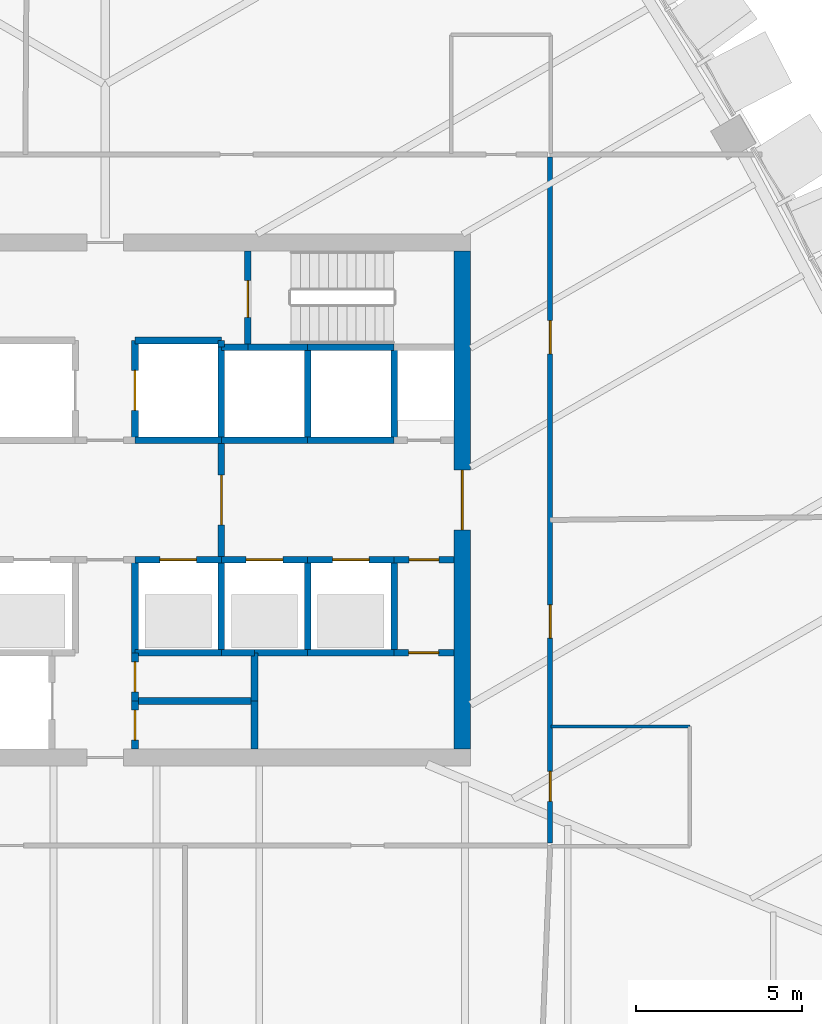
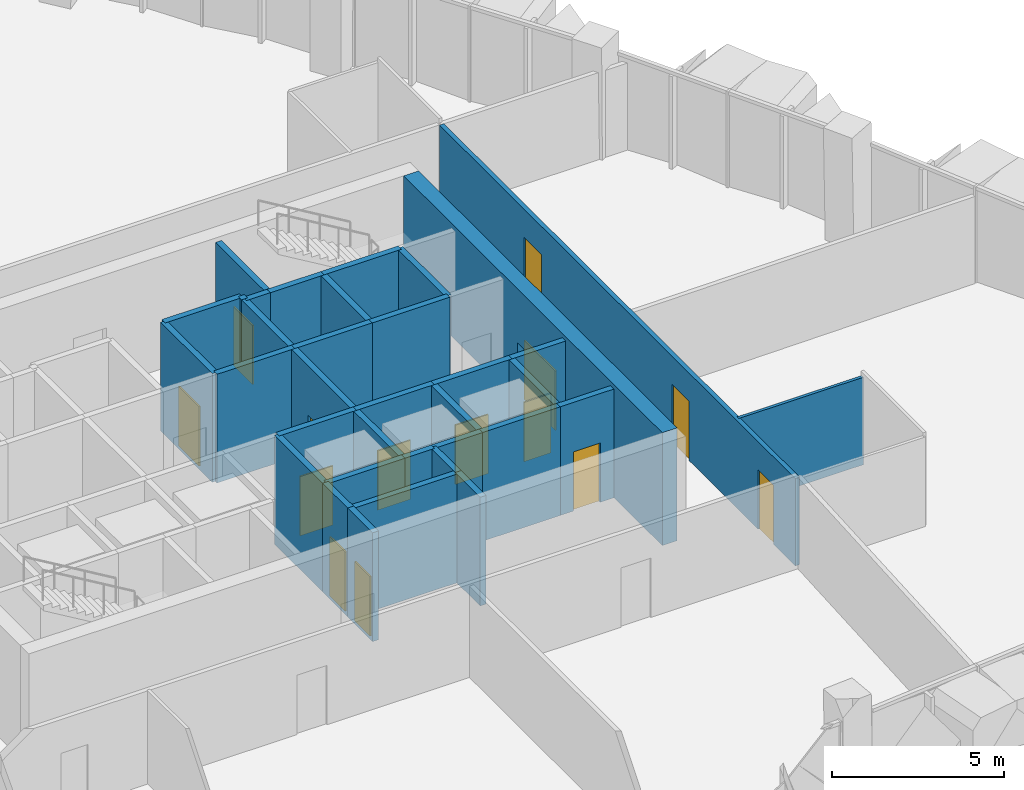
# One storey, part 13 of 18: 35 walls, 14 doors, 14 openings.
"""IFC4 building model written with IfcOpenShell, lengths in metres."""

from ifc_helpers import new_model, si_unit, direction, frame, frame_2d, origin, place, context, subcontext, project, spatial, rectangle, extrude, material, layer, layer_set, type_object, element, fill, save


model = new_model("IFC4")

# Units and contexts
model_context = context("Model", 3, precision=1e-05, world=origin(), true_north=direction((0.0, 1.0)))
body_context = subcontext(model_context, "Body", "Model", "MODEL_VIEW")
ifc_project = project(units=[si_unit("LENGTHUNIT", "METRE"), si_unit("AREAUNIT", "SQUARE_METRE"), si_unit("VOLUMEUNIT", "CUBIC_METRE"), si_unit("PLANEANGLEUNIT", "RADIAN"), si_unit("MASSUNIT", "GRAM", prefix="KILO")], contexts=[model_context])

# Site, building, storey
site_placement = place(None, origin())
site = spatial("IfcSite", under=ifc_project, at=site_placement, CompositionType="ELEMENT")
building_placement = place(site_placement, origin())
building = spatial("IfcBuilding", under=site, at=building_placement, Name="Sierra Prisma Convention Tower", CompositionType="ELEMENT")
storey_placement = place(building_placement, frame((0.0, 0.0, 137.800048828125)))
storey = spatial("IfcBuildingStorey", under=building, at=storey_placement, Name="L29", CompositionType="ELEMENT", Elevation=137.800048828125)

# Wall
ifc_material_1 = material(Name="Gypsum board partition", Category="gypsum")
ifc_layer_1 = layer(ifc_material_1, 0.10009765625)
ifc_layer_set_1 = layer_set([ifc_layer_1], Name="Bathroom partition 100")
wall_type_1 = type_object("IfcWallType", Name="Bathroom partition 100", PredefinedType="PARTITIONING", material=ifc_layer_set_1)
wall_1_placement = place(storey_placement, frame((13.429931640625, -6.820068359375, 0.0), z_axis=(0.0, 0.0, 1.0), x_axis=(1.0, 0.0, 0.0)))
element("IfcWall", 1, at=wall_1_placement, inside=storey, type_object=wall_type_1, Name="Partition L29 bath 10", PredefinedType="PARTITIONING", context=body_context, shape_type="SweptSolid", body=[
    extrude(rectangle(XDim=4.170166015625, YDim=0.10009765625, at=frame_2d((2.0849609375, 0.0))), origin(), (0.0, 0.0, 1.0), 3.096923828125),
])

# Wall, opening, door
ifc_material_2 = material(Name="Concrete C30/37", Category="concrete")
ifc_layer_2 = layer(ifc_material_2, 0.199951171875)
ifc_layer_set_2 = layer_set([ifc_layer_2], Name="Core wall RC 200 C30/37")
wall_type_2 = type_object("IfcWallType", Name="Core wall RC 200 C30/37", PredefinedType="SOLIDWALL", material=ifc_layer_set_2)
wall_2_placement = place(storey_placement, frame((0.89990234375, -6.050048828125, 0.0), z_axis=(0.0, 0.0, 1.0), x_axis=(0.0, -1.0, 0.0)))
wall_2 = element("IfcWall", 2, at=wall_2_placement, inside=storey, type_object=wall_type_2, Name="Core wall L29 35", PredefinedType="SOLIDWALL", context=body_context, shape_type="SweptSolid", body=[
    extrude(rectangle(XDim=1.449951171875, YDim=0.199951171875, at=frame_2d((0.72509765625, 0.0))), origin(), (0.0, 0.0, 1.0), 3.849853515625),
])
opening_1_placement = place(wall_2_placement, frame((0.27490234375, 0.0, 0.0)))
opening_1 = element("IfcOpeningElement", 3, at=opening_1_placement, cuts=wall_2, Name="Opening L29-D022", PredefinedType="OPENING", context=body_context, shape_type="SweptSolid", body=[
    extrude(rectangle(XDim=0.89990234375, YDim=2.10009765625, at=frame_2d((0.449951171875, 1.050048828125))), frame((0.0, 0.10009765625, 0.0), z_axis=(0.0, -1.0, 0.0), x_axis=(1.0, 0.0, 0.0)), (0.0, 0.0, 1.0), 0.199951171875),
])
ifc_material_3 = material(Name="Steel fire door leaf", Category="steel")
door_type_1 = type_object("IfcDoorType", Name="Door 900x2100 FD30S", OperationType="SINGLE_SWING_LEFT", PredefinedType="DOOR", material=ifc_material_3)
door_1_placement = place(opening_1_placement, origin())
door_1 = element("IfcDoor", 4, at=door_1_placement, inside=storey, type_object=door_type_1, Name="Door L29 35", OperationType="SINGLE_SWING_LEFT", OverallHeight=2.10009765625, OverallWidth=0.89990234375, PredefinedType="DOOR", context=body_context, shape_type="SweptSolid", body=[
    extrude(rectangle(XDim=0.89990234375, YDim=2.10009765625, at=frame_2d((0.449951171875, 1.050048828125))), frame((0.0, 0.02490234375, 0.0), z_axis=(0.0, -1.0, 0.0), x_axis=(1.0, 0.0, 0.0)), (0.0, 0.0, 1.0), 0.050048828125),
])
fill(opening_1, door_1)

# Wall
wall_3_placement = place(storey_placement, frame((4.5, -6.050048828125, 0.0), z_axis=(0.0, 0.0, 1.0), x_axis=(-1.0, 0.0, 0.0)))
element("IfcWall", 5, at=wall_3_placement, inside=storey, type_object=wall_type_2, Name="Core wall L29 36", PredefinedType="SOLIDWALL", context=body_context, shape_type="SweptSolid", body=[
    extrude(rectangle(XDim=3.60009765625, YDim=0.199951171875, at=frame_2d((1.800048828125, 0.0))), origin(), (0.0, 0.0, 1.0), 3.849853515625),
])

# Wall, opening, door
wall_4_placement = place(storey_placement, frame((0.89990234375, -4.60009765625, 0.0), z_axis=(0.0, 0.0, 1.0), x_axis=(0.0, -1.0, 0.0)))
wall_4 = element("IfcWall", 6, at=wall_4_placement, inside=storey, type_object=wall_type_2, Name="Core wall L29 37", PredefinedType="SOLIDWALL", context=body_context, shape_type="SweptSolid", body=[
    extrude(rectangle(XDim=1.449951171875, YDim=0.199951171875, at=frame_2d((0.72509765625, 0.0))), origin(), (0.0, 0.0, 1.0), 3.849853515625),
])
opening_2_placement = place(wall_4_placement, frame((0.27490234375, 0.0, 0.0)))
opening_2 = element("IfcOpeningElement", 7, at=opening_2_placement, cuts=wall_4, Name="Opening L29-D023", PredefinedType="OPENING", context=body_context, shape_type="SweptSolid", body=[
    extrude(rectangle(XDim=0.89990234375, YDim=2.10009765625, at=frame_2d((0.449951171875, 1.050048828125))), frame((0.0, 0.10009765625, 0.0), z_axis=(0.0, -1.0, 0.0), x_axis=(1.0, 0.0, 0.0)), (0.0, 0.0, 1.0), 0.199951171875),
])
door_2_placement = place(opening_2_placement, origin())
door_2 = element("IfcDoor", 8, at=door_2_placement, inside=storey, type_object=door_type_1, Name="Door L29 36", OperationType="SINGLE_SWING_LEFT", OverallHeight=2.10009765625, OverallWidth=0.89990234375, PredefinedType="DOOR", context=body_context, shape_type="SweptSolid", body=[
    extrude(rectangle(XDim=0.89990234375, YDim=2.10009765625, at=frame_2d((0.449951171875, 1.050048828125))), frame((0.0, 0.02490234375, 0.0), z_axis=(0.0, -1.0, 0.0), x_axis=(1.0, 0.0, 0.0)), (0.0, 0.0, 1.0), 0.050048828125),
])
fill(opening_2, door_2)

# Walls
wall_5_placement = place(storey_placement, frame((3.5, -4.60009765625, 0.0), z_axis=(0.0, 0.0, 1.0), x_axis=(-1.0, 0.0, 0.0)))
element("IfcWall", 9, at=wall_5_placement, inside=storey, type_object=wall_type_2, Name="Core wall L29 38", PredefinedType="SOLIDWALL", context=body_context, shape_type="SweptSolid", body=[
    extrude(rectangle(XDim=2.60009765625, YDim=0.199951171875, at=frame_2d((1.300048828125, 0.0))), origin(), (0.0, 0.0, 1.0), 3.849853515625),
])
wall_6_placement = place(storey_placement, frame((0.89990234375, -1.800048828125, 0.0), z_axis=(0.0, 0.0, 1.0), x_axis=(0.0, -1.0, 0.0)))
element("IfcWall", 10, at=wall_6_placement, inside=storey, type_object=wall_type_2, Name="Core wall L29 39", PredefinedType="SOLIDWALL", context=body_context, shape_type="SweptSolid", body=[
    extrude(rectangle(XDim=2.800048828125, YDim=0.199951171875, at=frame_2d((1.39990234375, 0.0))), origin(), (0.0, 0.0, 1.0), 3.849853515625),
])

# Wall, opening, door
wall_7_placement = place(storey_placement, frame((0.89990234375, -1.800048828125, 0.0), z_axis=(0.0, 0.0, 1.0), x_axis=(1.0, 0.0, 0.0)))
wall_7 = element("IfcWall", 11, at=wall_7_placement, inside=storey, type_object=wall_type_2, Name="Core wall L29 40", PredefinedType="SOLIDWALL", context=body_context, shape_type="SweptSolid", body=[
    extrude(rectangle(XDim=2.60009765625, YDim=0.199951171875, at=frame_2d((1.300048828125, 0.0))), origin(), (0.0, 0.0, 1.0), 3.849853515625),
])
opening_3_placement = place(wall_7_placement, frame((0.75, 0.0, 0.0)))
opening_3 = element("IfcOpeningElement", 12, at=opening_3_placement, cuts=wall_7, Name="Opening L29-D004", PredefinedType="OPENING", context=body_context, shape_type="SweptSolid", body=[
    extrude(rectangle(XDim=1.10009765625, YDim=2.10009765625, at=frame_2d((0.550048828125, 1.050048828125))), frame((0.0, 0.10009765625, 0.0), z_axis=(0.0, -1.0, 0.0), x_axis=(1.0, 0.0, 0.0)), (0.0, 0.0, 1.0), 0.199951171875),
])
ifc_material_4 = material(Name="Steel fire door leaf", Category="steel")
door_type_2 = type_object("IfcDoorType", Name="Door 1100x2100 EI 90 sliding lift landing", OperationType="SLIDING_TO_LEFT", PredefinedType="DOOR", material=ifc_material_4)
door_3_placement = place(opening_3_placement, origin())
door_3 = element("IfcDoor", 13, at=door_3_placement, inside=storey, type_object=door_type_2, Name="Door L29 17", OperationType="SLIDING_TO_RIGHT", OverallHeight=2.10009765625, OverallWidth=1.10009765625, PredefinedType="DOOR", context=body_context, shape_type="SweptSolid", body=[
    extrude(rectangle(XDim=1.10009765625, YDim=2.10009765625, at=frame_2d((0.550048828125, 1.050048828125))), frame((0.0, 0.02490234375, 0.0), z_axis=(0.0, -1.0, 0.0), x_axis=(1.0, 0.0, 0.0)), (0.0, 0.0, 1.0), 0.050048828125),
])
fill(opening_3, door_3)

# Walls
wall_8_placement = place(storey_placement, frame((3.5, 1.800048828125, 0.0), z_axis=(0.0, 0.0, 1.0), x_axis=(-1.0, 0.0, 0.0)))
element("IfcWall", 14, at=wall_8_placement, inside=storey, type_object=wall_type_2, Name="Core wall L29 41", PredefinedType="SOLIDWALL", context=body_context, shape_type="SweptSolid", body=[
    extrude(rectangle(XDim=2.60009765625, YDim=0.199951171875, at=frame_2d((1.300048828125, 0.0))), origin(), (0.0, 0.0, 1.0), 3.849853515625),
])
wall_9_placement = place(storey_placement, frame((3.5, 4.60009765625, 0.0), z_axis=(0.0, 0.0, 1.0), x_axis=(0.0, 1.0, 0.0)))
element("IfcWall", 15, at=wall_9_placement, inside=storey, type_object=wall_type_2, Name="Core wall L29 42", PredefinedType="SOLIDWALL", context=body_context, shape_type="SweptSolid", body=[
    extrude(rectangle(XDim=0.199951171875, YDim=0.199951171875, at=frame_2d((0.10009765625, 0.0))), origin(), (0.0, 0.0, 1.0), 3.849853515625),
])
wall_10_placement = place(storey_placement, frame((3.5, 4.800048828125, 0.0), z_axis=(0.0, 0.0, 1.0), x_axis=(-1.0, 0.0, 0.0)))
element("IfcWall", 16, at=wall_10_placement, inside=storey, type_object=wall_type_2, Name="Core wall L29 43", PredefinedType="SOLIDWALL", context=body_context, shape_type="SweptSolid", body=[
    extrude(rectangle(XDim=2.60009765625, YDim=0.199951171875, at=frame_2d((1.300048828125, 0.0))), origin(), (0.0, 0.0, 1.0), 3.849853515625),
])

# Wall, opening, door
wall_11_placement = place(storey_placement, frame((0.89990234375, 4.800048828125, 0.0), z_axis=(0.0, 0.0, 1.0), x_axis=(0.0, -1.0, 0.0)))
wall_11 = element("IfcWall", 17, at=wall_11_placement, inside=storey, type_object=wall_type_2, Name="Core wall L29 44", PredefinedType="SOLIDWALL", context=body_context, shape_type="SweptSolid", body=[
    extrude(rectangle(XDim=3.0, YDim=0.199951171875, at=frame_2d((1.5, 0.0))), origin(), (0.0, 0.0, 1.0), 3.849853515625),
])
opening_4_placement = place(wall_11_placement, frame((0.89990234375, 0.0, 0.0)))
opening_4 = element("IfcOpeningElement", 18, at=opening_4_placement, cuts=wall_11, Name="Opening L29-D008", PredefinedType="OPENING", context=body_context, shape_type="SweptSolid", body=[
    extrude(rectangle(XDim=1.199951171875, YDim=2.10009765625, at=frame_2d((0.60009765625, 1.050048828125))), frame((0.0, 0.10009765625, 0.0), z_axis=(0.0, -1.0, 0.0), x_axis=(1.0, 0.0, 0.0)), (0.0, 0.0, 1.0), 0.199951171875),
])
ifc_material_5 = material(Name="Steel fire door leaf", Category="steel")
door_type_3 = type_object("IfcDoorType", Name="Door 1200x2100 EI 90 sliding lift landing", OperationType="SLIDING_TO_LEFT", PredefinedType="DOOR", material=ifc_material_5)
door_4_placement = place(opening_4_placement, origin())
door_4 = element("IfcDoor", 19, at=door_4_placement, inside=storey, type_object=door_type_3, Name="Door L29 21", OperationType="SLIDING_TO_RIGHT", OverallHeight=2.10009765625, OverallWidth=1.199951171875, PredefinedType="DOOR", context=body_context, shape_type="SweptSolid", body=[
    extrude(rectangle(XDim=1.199951171875, YDim=2.10009765625, at=frame_2d((0.60009765625, 1.050048828125))), frame((0.0, 0.02490234375, 0.0), z_axis=(0.0, -1.0, 0.0), x_axis=(1.0, 0.0, 0.0)), (0.0, 0.0, 1.0), 0.050048828125),
])
fill(opening_4, door_4)

# Walls
wall_12_placement = place(storey_placement, frame((4.5, -4.60009765625, 0.0), z_axis=(0.0, 0.0, 1.0), x_axis=(-1.0, 0.0, 0.0)))
element("IfcWall", 20, at=wall_12_placement, inside=storey, type_object=wall_type_2, Name="Core wall L29 45", PredefinedType="SOLIDWALL", context=body_context, shape_type="SweptSolid", body=[
    extrude(rectangle(XDim=1.0, YDim=0.199951171875, at=frame_2d((0.5, 0.0))), origin(), (0.0, 0.0, 1.0), 3.849853515625),
])
wall_13_placement = place(storey_placement, frame((3.5, -4.60009765625, 0.0), z_axis=(0.0, 0.0, 1.0), x_axis=(0.0, 1.0, 0.0)))
element("IfcWall", 21, at=wall_13_placement, inside=storey, type_object=wall_type_2, Name="Core wall L29 46", PredefinedType="SOLIDWALL", context=body_context, shape_type="SweptSolid", body=[
    extrude(rectangle(XDim=2.800048828125, YDim=0.199951171875, at=frame_2d((1.39990234375, 0.0))), origin(), (0.0, 0.0, 1.0), 3.849853515625),
])

# Wall, opening, door
wall_14_placement = place(storey_placement, frame((3.5, -1.800048828125, 0.0), z_axis=(0.0, 0.0, 1.0), x_axis=(1.0, 0.0, 0.0)))
wall_14 = element("IfcWall", 22, at=wall_14_placement, inside=storey, type_object=wall_type_2, Name="Core wall L29 47", PredefinedType="SOLIDWALL", context=body_context, shape_type="SweptSolid", body=[
    extrude(rectangle(XDim=2.60009765625, YDim=0.199951171875, at=frame_2d((1.300048828125, 0.0))), origin(), (0.0, 0.0, 1.0), 3.849853515625),
])
opening_5_placement = place(wall_14_placement, frame((0.75, 0.0, 0.0)))
opening_5 = element("IfcOpeningElement", 23, at=opening_5_placement, cuts=wall_14, Name="Opening L29-D005", PredefinedType="OPENING", context=body_context, shape_type="SweptSolid", body=[
    extrude(rectangle(XDim=1.10009765625, YDim=2.10009765625, at=frame_2d((0.550048828125, 1.050048828125))), frame((0.0, 0.10009765625, 0.0), z_axis=(0.0, -1.0, 0.0), x_axis=(1.0, 0.0, 0.0)), (0.0, 0.0, 1.0), 0.199951171875),
])
door_5_placement = place(opening_5_placement, origin())
door_5 = element("IfcDoor", 24, at=door_5_placement, inside=storey, type_object=door_type_2, Name="Door L29 18", OperationType="SLIDING_TO_RIGHT", OverallHeight=2.10009765625, OverallWidth=1.10009765625, PredefinedType="DOOR", context=body_context, shape_type="SweptSolid", body=[
    extrude(rectangle(XDim=1.10009765625, YDim=2.10009765625, at=frame_2d((0.550048828125, 1.050048828125))), frame((0.0, 0.02490234375, 0.0), z_axis=(0.0, -1.0, 0.0), x_axis=(1.0, 0.0, 0.0)), (0.0, 0.0, 1.0), 0.050048828125),
])
fill(opening_5, door_5)

wall_15_placement = place(storey_placement, frame((3.5, -1.800048828125, 0.0), z_axis=(0.0, 0.0, 1.0), x_axis=(0.0, 1.0, 0.0)))
wall_15 = element("IfcWall", 25, at=wall_15_placement, inside=storey, type_object=wall_type_2, Name="Core wall L29 48", PredefinedType="SOLIDWALL", context=body_context, shape_type="SweptSolid", body=[
    extrude(rectangle(XDim=3.60009765625, YDim=0.199951171875, at=frame_2d((1.800048828125, 0.0))), origin(), (0.0, 0.0, 1.0), 3.849853515625),
])
opening_6_placement = place(wall_15_placement, frame((1.050048828125, 0.0, 0.0)))
opening_6 = element("IfcOpeningElement", 26, at=opening_6_placement, cuts=wall_15, Name="Opening L29-D011", PredefinedType="OPENING", context=body_context, shape_type="SweptSolid", body=[
    extrude(rectangle(XDim=1.5, YDim=2.10009765625, at=frame_2d((0.75, 1.050048828125))), frame((0.0, 0.10009765625, 0.0), z_axis=(0.0, -1.0, 0.0), x_axis=(1.0, 0.0, 0.0)), (0.0, 0.0, 1.0), 0.199951171875),
])
ifc_material_6 = material(Name="Steel fire door leaf", Category="steel")
door_type_4 = type_object("IfcDoorType", Name="Door 1500x2100 FD30S", OperationType="DOUBLE_DOOR_SINGLE_SWING", PredefinedType="DOOR", material=ifc_material_6)
door_6_placement = place(opening_6_placement, origin())
door_6 = element("IfcDoor", 27, at=door_6_placement, inside=storey, type_object=door_type_4, Name="Door L29 24", OperationType="DOUBLE_DOOR_SINGLE_SWING", OverallHeight=2.10009765625, OverallWidth=1.5, PredefinedType="DOOR", context=body_context, shape_type="SweptSolid", body=[
    extrude(rectangle(XDim=1.5, YDim=2.10009765625, at=frame_2d((0.75, 1.050048828125))), frame((0.0, 0.02490234375, 0.0), z_axis=(0.0, -1.0, 0.0), x_axis=(1.0, 0.0, 0.0)), (0.0, 0.0, 1.0), 0.050048828125),
])
fill(opening_6, door_6)

# Walls
wall_16_placement = place(storey_placement, frame((6.10009765625, 1.800048828125, 0.0), z_axis=(0.0, 0.0, 1.0), x_axis=(-1.0, 0.0, 0.0)))
element("IfcWall", 28, at=wall_16_placement, inside=storey, type_object=wall_type_2, Name="Core wall L29 49", PredefinedType="SOLIDWALL", context=body_context, shape_type="SweptSolid", body=[
    extrude(rectangle(XDim=2.60009765625, YDim=0.199951171875, at=frame_2d((1.300048828125, 0.0))), origin(), (0.0, 0.0, 1.0), 3.849853515625),
])
wall_17_placement = place(storey_placement, frame((3.5, 1.800048828125, 0.0), z_axis=(0.0, 0.0, 1.0), x_axis=(0.0, 1.0, 0.0)))
element("IfcWall", 29, at=wall_17_placement, inside=storey, type_object=wall_type_2, Name="Core wall L29 50", PredefinedType="SOLIDWALL", context=body_context, shape_type="SweptSolid", body=[
    extrude(rectangle(XDim=2.800048828125, YDim=0.199951171875, at=frame_2d((1.39990234375, 0.0))), origin(), (0.0, 0.0, 1.0), 3.849853515625),
])
wall_18_placement = place(storey_placement, frame((4.300048828125, 4.60009765625, 0.0), z_axis=(0.0, 0.0, 1.0), x_axis=(-1.0, 0.0, 0.0)))
element("IfcWall", 30, at=wall_18_placement, inside=storey, type_object=wall_type_2, Name="Core wall L29 51", PredefinedType="SOLIDWALL", context=body_context, shape_type="SweptSolid", body=[
    extrude(rectangle(XDim=0.800048828125, YDim=0.199951171875, at=frame_2d((0.39990234375, 0.0))), origin(), (0.0, 0.0, 1.0), 3.849853515625),
])
wall_19_placement = place(storey_placement, frame((6.10009765625, 4.60009765625, 0.0), z_axis=(0.0, 0.0, 1.0), x_axis=(-1.0, 0.0, 0.0)))
element("IfcWall", 31, at=wall_19_placement, inside=storey, type_object=wall_type_2, Name="Core wall L29 52", PredefinedType="SOLIDWALL", context=body_context, shape_type="SweptSolid", body=[
    extrude(rectangle(XDim=1.800048828125, YDim=0.199951171875, at=frame_2d((0.89990234375, 0.0))), origin(), (0.0, 0.0, 1.0), 3.849853515625),
])

# Wall, opening, door
wall_20_placement = place(storey_placement, frame((4.300048828125, 7.5, 0.0), z_axis=(0.0, 0.0, 1.0), x_axis=(0.0, -1.0, 0.0)))
wall_20 = element("IfcWall", 32, at=wall_20_placement, inside=storey, type_object=wall_type_2, Name="Core wall L29 53", PredefinedType="SOLIDWALL", context=body_context, shape_type="SweptSolid", body=[
    extrude(rectangle(XDim=2.89990234375, YDim=0.199951171875, at=frame_2d((1.449951171875, 0.0))), origin(), (0.0, 0.0, 1.0), 3.849853515625),
])
opening_7_placement = place(wall_20_placement, frame((0.89990234375, 0.0, 0.0)))
opening_7 = element("IfcOpeningElement", 33, at=opening_7_placement, cuts=wall_20, Name="Opening L29-D019", PredefinedType="OPENING", context=body_context, shape_type="SweptSolid", body=[
    extrude(rectangle(XDim=1.10009765625, YDim=2.10009765625, at=frame_2d((0.550048828125, 1.050048828125))), frame((0.0, 0.10009765625, 0.0), z_axis=(0.0, -1.0, 0.0), x_axis=(1.0, 0.0, 0.0)), (0.0, 0.0, 1.0), 0.199951171875),
])
ifc_material_7 = material(Name="Steel fire door leaf", Category="steel")
door_type_5 = type_object("IfcDoorType", Name="Door 1100x2100 FD90S", OperationType="SINGLE_SWING_LEFT", PredefinedType="DOOR", material=ifc_material_7)
door_7_placement = place(opening_7_placement, origin())
door_7 = element("IfcDoor", 34, at=door_7_placement, inside=storey, type_object=door_type_5, Name="Door L29 32", OperationType="SINGLE_SWING_RIGHT", OverallHeight=2.10009765625, OverallWidth=1.10009765625, PredefinedType="DOOR", context=body_context, shape_type="SweptSolid", body=[
    extrude(rectangle(XDim=1.10009765625, YDim=2.10009765625, at=frame_2d((0.550048828125, 1.050048828125))), frame((0.0, 0.02490234375, 0.0), z_axis=(0.0, -1.0, 0.0), x_axis=(1.0, 0.0, 0.0)), (0.0, 0.0, 1.0), 0.050048828125),
])
fill(opening_7, door_7)

# Walls
for number, where, z_axis, x_axis, name in (
    (35, (4.5, -6.050048828125, 0.0), (0.0, 0.0, 1.0), (0.0, -1.0, 0.0), "Core wall L29 54"),
    (36, (4.5, -4.60009765625, 0.0), (0.0, 0.0, 1.0), (0.0, -1.0, 0.0), "Core wall L29 55"),
):
    element("IfcWall", number, at=place(storey_placement, frame(where, z_axis=z_axis, x_axis=x_axis)), inside=storey, type_object=wall_type_2, Name=name, PredefinedType="SOLIDWALL", context=body_context, shape_type="SweptSolid", body=[
        extrude(rectangle(XDim=1.449951171875, YDim=0.199951171875, at=frame_2d((0.72509765625, 0.0))), origin(), (0.0, 0.0, 1.0), 3.849853515625),
    ])
wall_21_placement = place(storey_placement, frame((6.10009765625, -4.60009765625, 0.0), z_axis=(0.0, 0.0, 1.0), x_axis=(-1.0, 0.0, 0.0)))
element("IfcWall", 37, at=wall_21_placement, inside=storey, type_object=wall_type_2, Name="Core wall L29 56", PredefinedType="SOLIDWALL", context=body_context, shape_type="SweptSolid", body=[
    extrude(rectangle(XDim=1.60009765625, YDim=0.199951171875, at=frame_2d((0.800048828125, 0.0))), origin(), (0.0, 0.0, 1.0), 3.849853515625),
])
wall_22_placement = place(storey_placement, frame((8.699951171875, -4.60009765625, 0.0), z_axis=(0.0, 0.0, 1.0), x_axis=(-1.0, 0.0, 0.0)))
element("IfcWall", 38, at=wall_22_placement, inside=storey, type_object=wall_type_2, Name="Core wall L29 57", PredefinedType="SOLIDWALL", context=body_context, shape_type="SweptSolid", body=[
    extrude(rectangle(XDim=2.599853515625, YDim=0.199951171875, at=frame_2d((1.2998046875, 0.0))), origin(), (0.0, 0.0, 1.0), 3.849853515625),
])
wall_23_placement = place(storey_placement, frame((6.10009765625, -4.60009765625, 0.0), z_axis=(0.0, 0.0, 1.0), x_axis=(0.0, 1.0, 0.0)))
element("IfcWall", 39, at=wall_23_placement, inside=storey, type_object=wall_type_2, Name="Core wall L29 58", PredefinedType="SOLIDWALL", context=body_context, shape_type="SweptSolid", body=[
    extrude(rectangle(XDim=2.800048828125, YDim=0.199951171875, at=frame_2d((1.39990234375, 0.0))), origin(), (0.0, 0.0, 1.0), 3.849853515625),
])

# Wall, opening, door
wall_24_placement = place(storey_placement, frame((6.10009765625, -1.800048828125, 0.0), z_axis=(0.0, 0.0, 1.0), x_axis=(1.0, 0.0, 0.0)))
wall_24 = element("IfcWall", 40, at=wall_24_placement, inside=storey, type_object=wall_type_2, Name="Core wall L29 59", PredefinedType="SOLIDWALL", context=body_context, shape_type="SweptSolid", body=[
    extrude(rectangle(XDim=2.599853515625, YDim=0.199951171875, at=frame_2d((1.2998046875, 0.0))), origin(), (0.0, 0.0, 1.0), 3.849853515625),
])
opening_8_placement = place(wall_24_placement, frame((0.75, 0.0, 0.0)))
opening_8 = element("IfcOpeningElement", 41, at=opening_8_placement, cuts=wall_24, Name="Opening L29-D006", PredefinedType="OPENING", context=body_context, shape_type="SweptSolid", body=[
    extrude(rectangle(XDim=1.10009765625, YDim=2.10009765625, at=frame_2d((0.550048828125, 1.050048828125))), frame((0.0, 0.10009765625, 0.0), z_axis=(0.0, -1.0, 0.0), x_axis=(1.0, 0.0, 0.0)), (0.0, 0.0, 1.0), 0.199951171875),
])
door_8_placement = place(opening_8_placement, origin())
door_8 = element("IfcDoor", 42, at=door_8_placement, inside=storey, type_object=door_type_2, Name="Door L29 19", OperationType="SLIDING_TO_LEFT", OverallHeight=2.10009765625, OverallWidth=1.10009765625, PredefinedType="DOOR", context=body_context, shape_type="SweptSolid", body=[
    extrude(rectangle(XDim=1.10009765625, YDim=2.10009765625, at=frame_2d((0.550048828125, 1.050048828125))), frame((0.0, 0.02490234375, 0.0), z_axis=(0.0, -1.0, 0.0), x_axis=(1.0, 0.0, 0.0)), (0.0, 0.0, 1.0), 0.050048828125),
])
fill(opening_8, door_8)

# Walls
wall_25_placement = place(storey_placement, frame((8.699951171875, 1.800048828125, 0.0), z_axis=(0.0, 0.0, 1.0), x_axis=(-1.0, 0.0, 0.0)))
element("IfcWall", 43, at=wall_25_placement, inside=storey, type_object=wall_type_2, Name="Core wall L29 60", PredefinedType="SOLIDWALL", context=body_context, shape_type="SweptSolid", body=[
    extrude(rectangle(XDim=2.599853515625, YDim=0.199951171875, at=frame_2d((1.2998046875, 0.0))), origin(), (0.0, 0.0, 1.0), 3.849853515625),
])
wall_26_placement = place(storey_placement, frame((6.10009765625, 1.800048828125, 0.0), z_axis=(0.0, 0.0, 1.0), x_axis=(0.0, 1.0, 0.0)))
element("IfcWall", 44, at=wall_26_placement, inside=storey, type_object=wall_type_2, Name="Core wall L29 61", PredefinedType="SOLIDWALL", context=body_context, shape_type="SweptSolid", body=[
    extrude(rectangle(XDim=2.800048828125, YDim=0.199951171875, at=frame_2d((1.39990234375, 0.0))), origin(), (0.0, 0.0, 1.0), 3.849853515625),
])
wall_27_placement = place(storey_placement, frame((8.699951171875, 4.60009765625, 0.0), z_axis=(0.0, 0.0, 1.0), x_axis=(-1.0, 0.0, 0.0)))
element("IfcWall", 45, at=wall_27_placement, inside=storey, type_object=wall_type_2, Name="Core wall L29 62", PredefinedType="SOLIDWALL", context=body_context, shape_type="SweptSolid", body=[
    extrude(rectangle(XDim=2.599853515625, YDim=0.199951171875, at=frame_2d((1.2998046875, 0.0))), origin(), (0.0, 0.0, 1.0), 3.849853515625),
])

# Wall, opening, door
wall_28_placement = place(storey_placement, frame((10.5, -4.60009765625, 0.0), z_axis=(0.0, 0.0, 1.0), x_axis=(-1.0, 0.0, 0.0)))
wall_28 = element("IfcWall", 46, at=wall_28_placement, inside=storey, type_object=wall_type_2, Name="Core wall L29 63", PredefinedType="SOLIDWALL", context=body_context, shape_type="SweptSolid", body=[
    extrude(rectangle(XDim=1.800048828125, YDim=0.199951171875, at=frame_2d((0.89990234375, 0.0))), origin(), (0.0, 0.0, 1.0), 3.849853515625),
])
opening_9_placement = place(wall_28_placement, frame((0.4599609375, 0.0, 0.0)))
opening_9 = element("IfcOpeningElement", 47, at=opening_9_placement, cuts=wall_28, Name="Opening L29-D020", PredefinedType="OPENING", context=body_context, shape_type="SweptSolid", body=[
    extrude(rectangle(XDim=0.89990234375, YDim=2.10009765625, at=frame_2d((0.449951171875, 1.050048828125))), frame((0.0, 0.10009765625, 0.0), z_axis=(0.0, -1.0, 0.0), x_axis=(1.0, 0.0, 0.0)), (0.0, 0.0, 1.0), 0.199951171875),
])
door_9_placement = place(opening_9_placement, origin())
door_9 = element("IfcDoor", 48, at=door_9_placement, inside=storey, type_object=door_type_1, Name="Door L29 33", OperationType="SINGLE_SWING_LEFT", OverallHeight=2.10009765625, OverallWidth=0.89990234375, PredefinedType="DOOR", context=body_context, shape_type="SweptSolid", body=[
    extrude(rectangle(XDim=0.89990234375, YDim=2.10009765625, at=frame_2d((0.449951171875, 1.050048828125))), frame((0.0, 0.02490234375, 0.0), z_axis=(0.0, -1.0, 0.0), x_axis=(1.0, 0.0, 0.0)), (0.0, 0.0, 1.0), 0.050048828125),
])
fill(opening_9, door_9)

# Wall
wall_29_placement = place(storey_placement, frame((8.699951171875, -1.800048828125, 0.0), z_axis=(0.0, 0.0, 1.0), x_axis=(0.0, -1.0, 0.0)))
element("IfcWall", 49, at=wall_29_placement, inside=storey, type_object=wall_type_2, Name="Core wall L29 64", PredefinedType="SOLIDWALL", context=body_context, shape_type="SweptSolid", body=[
    extrude(rectangle(XDim=2.800048828125, YDim=0.199951171875, at=frame_2d((1.39990234375, 0.0))), origin(), (0.0, 0.0, 1.0), 3.849853515625),
])

# Wall, opening, door
wall_30_placement = place(storey_placement, frame((8.699951171875, -1.800048828125, 0.0), z_axis=(0.0, 0.0, 1.0), x_axis=(1.0, 0.0, 0.0)))
wall_30 = element("IfcWall", 50, at=wall_30_placement, inside=storey, type_object=wall_type_2, Name="Core wall L29 65", PredefinedType="SOLIDWALL", context=body_context, shape_type="SweptSolid", body=[
    extrude(rectangle(XDim=1.800048828125, YDim=0.199951171875, at=frame_2d((0.89990234375, 0.0))), origin(), (0.0, 0.0, 1.0), 3.849853515625),
])
opening_10_placement = place(wall_30_placement, frame((0.449951171875, 0.0, 0.0)))
opening_10 = element("IfcOpeningElement", 51, at=opening_10_placement, cuts=wall_30, Name="Opening L29-D021", PredefinedType="OPENING", context=body_context, shape_type="SweptSolid", body=[
    extrude(rectangle(XDim=0.89990234375, YDim=2.10009765625, at=frame_2d((0.449951171875, 1.050048828125))), frame((0.0, 0.10009765625, 0.0), z_axis=(0.0, -1.0, 0.0), x_axis=(1.0, 0.0, 0.0)), (0.0, 0.0, 1.0), 0.199951171875),
])
door_10_placement = place(opening_10_placement, origin())
door_10 = element("IfcDoor", 52, at=door_10_placement, inside=storey, type_object=door_type_1, Name="Door L29 34", OperationType="SINGLE_SWING_LEFT", OverallHeight=2.10009765625, OverallWidth=0.89990234375, PredefinedType="DOOR", context=body_context, shape_type="SweptSolid", body=[
    extrude(rectangle(XDim=0.89990234375, YDim=2.10009765625, at=frame_2d((0.449951171875, 1.050048828125))), frame((0.0, 0.02490234375, 0.0), z_axis=(0.0, -1.0, 0.0), x_axis=(1.0, 0.0, 0.0)), (0.0, 0.0, 1.0), 0.050048828125),
])
fill(opening_10, door_10)

# Wall
wall_31_placement = place(storey_placement, frame((8.699951171875, 4.60009765625, 0.0), z_axis=(0.0, 0.0, 1.0), x_axis=(0.0, -1.0, 0.0)))
element("IfcWall", 53, at=wall_31_placement, inside=storey, type_object=wall_type_2, Name="Core wall L29 67", PredefinedType="SOLIDWALL", context=body_context, shape_type="SweptSolid", body=[
    extrude(rectangle(XDim=2.800048828125, YDim=0.199951171875, at=frame_2d((1.39990234375, 0.0))), origin(), (0.0, 0.0, 1.0), 3.849853515625),
])

# Wall, opening, door
ifc_material_8 = material(Name="Concrete C60/75", Category="concrete")
ifc_layer_3 = layer(ifc_material_8, 0.5)
ifc_layer_set_3 = layer_set([ifc_layer_3], Name="Core wall RC 500 C60/75")
wall_type_3 = type_object("IfcWallType", Name="Core wall RC 500 C60/75", PredefinedType="SHEAR", material=ifc_layer_set_3)
wall_32_placement = place(storey_placement, frame((10.75, -7.5, 0.0), z_axis=(0.0, 0.0, 1.0), x_axis=(0.0, 1.0, 0.0)))
wall_32 = element("IfcWall", 54, at=wall_32_placement, inside=storey, type_object=wall_type_3, Name="Core wall E L29", PredefinedType="SHEAR", context=body_context, shape_type="SweptSolid", body=[
    extrude(rectangle(XDim=15.0, YDim=0.5, at=frame_2d((7.5, 0.0))), origin(), (0.0, 0.0, 1.0), 4.0),
])
opening_11_placement = place(wall_32_placement, frame((6.60009765625, 0.0, 0.0)))
opening_11 = element("IfcOpeningElement", 55, at=opening_11_placement, cuts=wall_32, Name="Opening L29-D037", PredefinedType="OPENING", context=body_context, shape_type="SweptSolid", body=[
    extrude(rectangle(XDim=1.800048828125, YDim=2.10009765625, at=frame_2d((0.89990234375, 1.050048828125))), frame((0.0, 0.25, 0.0), z_axis=(0.0, -1.0, 0.0), x_axis=(1.0, 0.0, 0.0)), (0.0, 0.0, 1.0), 0.5),
])
ifc_material_9 = material(Name="Steel fire door leaf", Category="steel")
door_type_6 = type_object("IfcDoorType", Name="Door 1800x2100 FD60S", OperationType="DOUBLE_DOOR_SINGLE_SWING", PredefinedType="DOOR", material=ifc_material_9)
door_11_placement = place(opening_11_placement, origin())
door_11 = element("IfcDoor", 56, at=door_11_placement, inside=storey, type_object=door_type_6, Name="Door L29 38", OperationType="DOUBLE_DOOR_SINGLE_SWING", OverallHeight=2.10009765625, OverallWidth=1.800048828125, PredefinedType="DOOR", context=body_context, shape_type="SweptSolid", body=[
    extrude(rectangle(XDim=1.800048828125, YDim=2.10009765625, at=frame_2d((0.89990234375, 1.050048828125))), frame((0.0, 0.02490234375, 0.0), z_axis=(0.0, -1.0, 0.0), x_axis=(1.0, 0.0, 0.0)), (0.0, 0.0, 1.0), 0.050048828125),
])
fill(opening_11, door_11)

# Wall, openings, doors
ifc_material_10 = material(Name="Gypsum board partition", Category="gypsum")
ifc_layer_4 = layer(ifc_material_10, 0.14990234375)
ifc_layer_set_4 = layer_set([ifc_layer_4], Name="Corridor wall 150 gypsum EI 60")
wall_type_4 = type_object("IfcWallType", Name="Corridor wall 150 gypsum EI 60", PredefinedType="PARTITIONING", material=ifc_layer_set_4)
wall_33_placement = place(storey_placement, frame((13.39990234375, -10.320068359375, 0.0), z_axis=(0.0, 0.0, 1.0), x_axis=(0.0, 1.0, 0.0)))
wall_33 = element("IfcWall", 57, at=wall_33_placement, inside=storey, type_object=wall_type_4, Name="Partition L29 corr 4", PredefinedType="PARTITIONING", context=body_context, shape_type="SweptSolid", body=[
    extrude(rectangle(XDim=20.64013671875, YDim=0.14990234375, at=frame_2d((10.320068359375, 0.0))), origin(), (0.0, 0.0, 1.0), 3.096923828125),
])
opening_12_placement = place(wall_33_placement, frame((14.719970703125, 0.0, 0.0)))
opening_12 = element("IfcOpeningElement", 58, at=opening_12_placement, cuts=wall_33, Name="Opening L29-D024", PredefinedType="OPENING", context=body_context, shape_type="SweptSolid", body=[
    extrude(rectangle(XDim=1.0, YDim=2.10009765625, at=frame_2d((0.5, 1.050048828125))), frame((0.0, 0.074951171875, 0.0), z_axis=(0.0, -1.0, 0.0), x_axis=(1.0, 0.0, 0.0)), (0.0, 0.0, 1.0), 0.14990234375),
])
opening_13_placement = place(wall_33_placement, frame((1.25, 0.0, 0.0)))
opening_13 = element("IfcOpeningElement", 59, at=opening_13_placement, cuts=wall_33, Name="Opening L29-D035", PredefinedType="OPENING", context=body_context, shape_type="SweptSolid", body=[
    extrude(rectangle(XDim=0.89990234375, YDim=2.10009765625, at=frame_2d((0.449951171875, 1.050048828125))), frame((0.0, 0.074951171875, 0.0), z_axis=(0.0, -1.0, 0.0), x_axis=(1.0, 0.0, 0.0)), (0.0, 0.0, 1.0), 0.14990234375),
])
opening_14_placement = place(wall_33_placement, frame((6.159912109375, 0.0, 0.0)))
opening_14 = element("IfcOpeningElement", 60, at=opening_14_placement, cuts=wall_33, Name="Opening L29-D036", PredefinedType="OPENING", context=body_context, shape_type="SweptSolid", body=[
    extrude(rectangle(XDim=1.0, YDim=2.10009765625, at=frame_2d((0.5, 1.050048828125))), frame((0.0, 0.074951171875, 0.0), z_axis=(0.0, -1.0, 0.0), x_axis=(1.0, 0.0, 0.0)), (0.0, 0.0, 1.0), 0.14990234375),
])
ifc_material_11 = material(Name="Steel fire door leaf", Category="steel")
door_type_7 = type_object("IfcDoorType", Name="Door 1000x2100 FD30S", OperationType="SINGLE_SWING_LEFT", PredefinedType="DOOR", material=ifc_material_11)
door_12_placement = place(opening_12_placement, origin())
door_12 = element("IfcDoor", 61, at=door_12_placement, inside=storey, type_object=door_type_7, Name="Door L29 1", OperationType="SINGLE_SWING_LEFT", OverallHeight=2.10009765625, OverallWidth=1.0, PredefinedType="DOOR", context=body_context, shape_type="SweptSolid", body=[
    extrude(rectangle(XDim=1.0, YDim=2.10009765625, at=frame_2d((0.5, 1.050048828125))), frame((0.0, 0.02490234375, 0.0), z_axis=(0.0, -1.0, 0.0), x_axis=(1.0, 0.0, 0.0)), (0.0, 0.0, 1.0), 0.050048828125),
])
fill(opening_12, door_12)
door_13_placement = place(opening_14_placement, origin())
door_13 = element("IfcDoor", 62, at=door_13_placement, inside=storey, type_object=door_type_7, Name="Door L29 13", OperationType="SINGLE_SWING_LEFT", OverallHeight=2.10009765625, OverallWidth=1.0, PredefinedType="DOOR", context=body_context, shape_type="SweptSolid", body=[
    extrude(rectangle(XDim=1.0, YDim=2.10009765625, at=frame_2d((0.5, 1.050048828125))), frame((0.0, 0.02490234375, 0.0), z_axis=(0.0, -1.0, 0.0), x_axis=(1.0, 0.0, 0.0)), (0.0, 0.0, 1.0), 0.050048828125),
])
fill(opening_14, door_13)
door_14_placement = place(opening_13_placement, origin())
door_14 = element("IfcDoor", 63, at=door_14_placement, inside=storey, type_object=door_type_1, Name="Door L29 12", OperationType="SINGLE_SWING_LEFT", OverallHeight=2.10009765625, OverallWidth=0.89990234375, PredefinedType="DOOR", context=body_context, shape_type="SweptSolid", body=[
    extrude(rectangle(XDim=0.89990234375, YDim=2.10009765625, at=frame_2d((0.449951171875, 1.050048828125))), frame((0.0, 0.02490234375, 0.0), z_axis=(0.0, -1.0, 0.0), x_axis=(1.0, 0.0, 0.0)), (0.0, 0.0, 1.0), 0.050048828125),
])
fill(opening_13, door_14)

save(model, "model.ifc")
